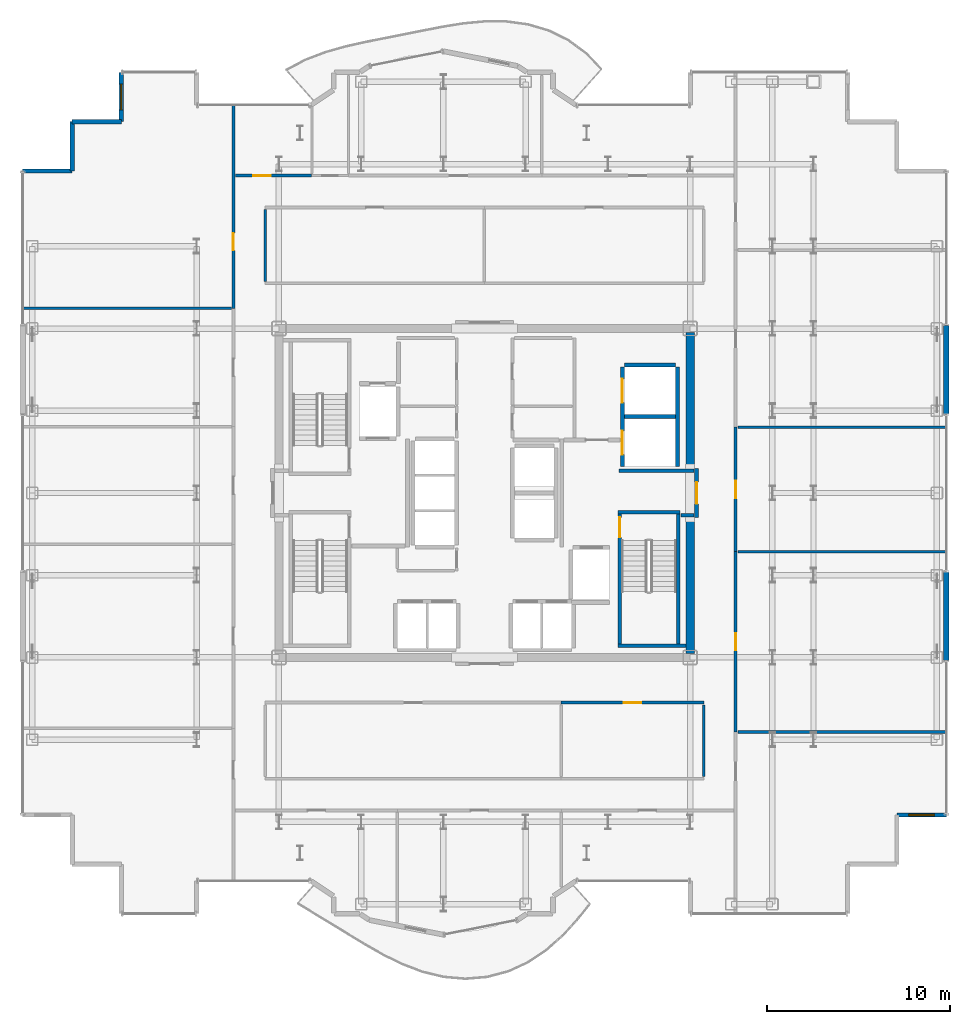
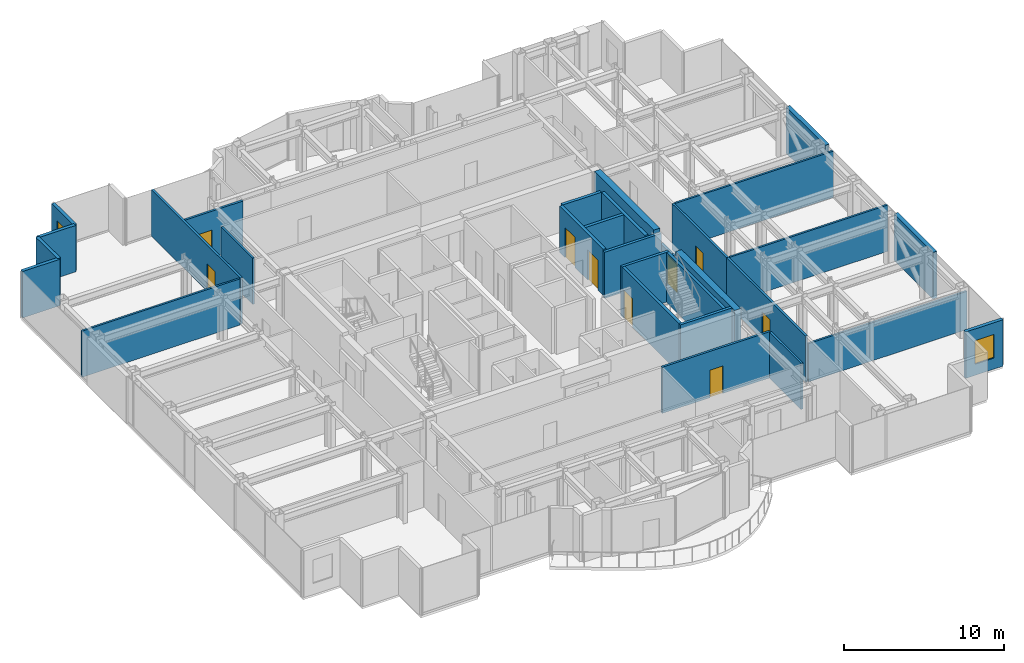
# One storey, part 18 of 22: 31 walls, 9 doors, 2 windows, 11 openings.
"""IFC4 building model written with IfcOpenShell, lengths in metres."""

from ifc_helpers import new_model, si_unit, direction, frame, frame_2d, origin, place, context, subcontext, project, spatial, rectangle, extrude, source, transform, mapped, material, layer, layer_set, type_object, element, fill, save


model = new_model("IFC4")

# Units and contexts
model_context = context("Model", 3, precision=1e-05, world=origin(), true_north=direction((0.0, 1.0)))
body_context = subcontext(model_context, "Body", "Model", "MODEL_VIEW")
ifc_project = project(units=[si_unit("LENGTHUNIT", "METRE"), si_unit("AREAUNIT", "SQUARE_METRE"), si_unit("VOLUMEUNIT", "CUBIC_METRE"), si_unit("PLANEANGLEUNIT", "RADIAN"), si_unit("MASSUNIT", "GRAM", prefix="KILO")], contexts=[model_context])

# Site, building, storey
site_placement = place(None, origin())
site = spatial("IfcSite", under=ifc_project, at=site_placement, CompositionType="ELEMENT")
building_placement = place(site_placement, origin())
building = spatial("IfcBuilding", under=site, at=building_placement, Name="Nefas-Gora Pilgrimage Tower", CompositionType="ELEMENT")
storey_placement = place(building_placement, frame((0.0, 0.0, 218.0)))
storey = spatial("IfcBuildingStorey", under=building, at=storey_placement, Name="L54", CompositionType="ELEMENT", Elevation=218.0)

# Walls
ifc_material_1 = material(Name="Concrete C50/60", Category="concrete")
ifc_layer_1 = layer(ifc_material_1, 0.449951171875)
ifc_layer_set_1 = layer_set([ifc_layer_1], Name="Concrete C50/60")
wall_type_1 = type_object("IfcWallType", Name="SW-CORE-450", PredefinedType="SHEAR", material=ifc_layer_set_1)
shared_shape_1 = source(origin(), body_context, "Body", "SweptSolid", [
    extrude(rectangle(XDim=7.4248046875, YDim=0.449951171875, at=frame_2d((3.71240234375, 0.0))), origin(), (0.0, 0.0, 1.0), 3.800048828125),
])
for number, where, z_axis, x_axis, name in (
    (1, (11.25, -8.77490234375, 0.0), (0.0, 0.0, 1.0), (0.0, 1.0, 0.0), "L54 Core Shear Wall E-South"),
    (2, (11.25, 1.35009765625, 0.0), (0.0, 0.0, 1.0), (0.0, 1.0, 0.0), "L54 Core Shear Wall E-North"),
):
    element("IfcWall", number, at=place(storey_placement, frame(where, z_axis=z_axis, x_axis=x_axis)), inside=storey, type_object=wall_type_1, Name=name, PredefinedType="SHEAR", context=body_context, shape_type="MappedRepresentation", body=[
        mapped(shared_shape_1, transform((0.0, 0.0, 0.0), x_axis=(1.0, 0.0, 0.0), y_axis=(0.0, 1.0, 0.0), z_axis=(0.0, 0.0, 1.0), scale=1.0)),
    ])
ifc_material_2 = material(Name="Precast concrete C45/55", Category="concrete")
ifc_layer_2 = layer(ifc_material_2, 0.239990234375)
ifc_layer_set_2 = layer_set([ifc_layer_2], Name="Precast concrete C45/55")
wall_type_2 = type_object("IfcWallType", Name="EW-SERR-240", PredefinedType="SHEAR", material=ifc_layer_set_2)
shared_shape_2 = source(origin(), body_context, "Body", "SweptSolid", [
    extrude(rectangle(XDim=4.8798828125, YDim=0.300048828125, at=frame_2d((2.43994140625, 0.0))), origin(), (0.0, 0.0, 1.0), 3.550048828125),
])
for number, where, z_axis, x_axis, name in (
    (3, (25.27001953125, -9.18994140625, 0.0), (0.0, 0.0, 1.0), (0.0, 1.0, 0.0), "L54 Braced-Tube Precast Shear Cladding 3"),
    (4, (25.27001953125, 4.31005859375, 0.0), (0.0, 0.0, 1.0), (0.0, 1.0, 0.0), "L54 Braced-Tube Precast Shear Cladding 4"),
):
    element("IfcWall", number, at=place(storey_placement, frame(where, z_axis=z_axis, x_axis=x_axis)), inside=storey, type_object=wall_type_2, Name=name, PredefinedType="SHEAR", context=body_context, shape_type="MappedRepresentation", body=[
        mapped(shared_shape_2, transform((0.0, 0.0, 0.0), x_axis=(1.0, 0.0, 0.0), y_axis=(0.0, 1.0, 0.0), z_axis=(0.0, 0.0, 1.0), scale=1.0)),
    ])

# Wall, opening, window
shared_shape_3 = source(origin(), body_context, "Body", "SweptSolid", [
    extrude(rectangle(XDim=2.699951171875, YDim=0.239990234375, at=frame_2d((1.35009765625, 0.0))), origin(), (0.0, 0.0, 1.0), 3.550048828125),
])
wall_1_placement = place(storey_placement, frame((22.570068359375, -17.6201171875, 0.0), z_axis=(0.0, 0.0, 1.0), x_axis=(1.0, 0.0, 0.0)))
wall_1 = element("IfcWall", 5, at=wall_1_placement, inside=storey, type_object=wall_type_2, Name="L54 Serrated Corner Shear Pier Wall 9", PredefinedType="SHEAR", context=body_context, shape_type="MappedRepresentation", body=[
    mapped(shared_shape_3, transform((0.0, 0.0, 0.0), x_axis=(1.0, 0.0, 0.0), y_axis=(0.0, 1.0, 0.0), z_axis=(0.0, 0.0, 1.0), scale=1.0)),
])
opening_1_placement = place(wall_1_placement, frame((0.64990234375, 0.0, 0.85009765625)))
opening_1 = element("IfcOpeningElement", 6, at=opening_1_placement, cuts=wall_1, Name="Opening W-V2", PredefinedType="OPENING", context=body_context, shape_type="SweptSolid", body=[
    extrude(rectangle(XDim=1.39990234375, YDim=1.800048828125, at=frame_2d((0.699951171875, 0.89990234375))), frame((0.0, 0.1298828125, 0.0), z_axis=(0.0, -1.0, 0.0), x_axis=(1.0, 0.0, 0.0)), (0.0, 0.0, 1.0), 0.260009765625),
])
ifc_material_3 = material(Name="Dark ceramic-fritted operable aluminium-glass window", Category="aluminium")
window_type = type_object("IfcWindowType", Name="WIN-VENT-1400x1800", PartitioningType="SINGLE_PANEL", PredefinedType="WINDOW", material=ifc_material_3)
shared_shape_4 = source(origin(), body_context, "Body", "SweptSolid", [
    extrude(rectangle(XDim=1.39990234375, YDim=1.800048828125, at=frame_2d((0.699951171875, 0.89990234375))), frame((0.0, 0.030029296875, 0.0), z_axis=(0.0, -1.0, 0.0), x_axis=(1.0, 0.0, 0.0)), (0.0, 0.0, 1.0), 0.06005859375),
])
window_1_placement = place(opening_1_placement, origin())
window_1 = element("IfcWindow", 7, at=window_1_placement, inside=storey, type_object=window_type, Name="L54 Operable Parallel-Outswing Window 9", OverallHeight=1.800048828125, OverallWidth=1.39990234375, PartitioningType="SINGLE_PANEL", PredefinedType="WINDOW", context=body_context, shape_type="MappedRepresentation", body=[
    mapped(shared_shape_4, transform((0.0, 0.0, 0.0), x_axis=(1.0, 0.0, 0.0), y_axis=(0.0, 1.0, 0.0), z_axis=(0.0, 0.0, 1.0), scale=1.0)),
])
fill(opening_1, window_1)

wall_2_placement = place(storey_placement, frame((-19.8701171875, 23.02001953125, 0.0), z_axis=(0.0, 0.0, 1.0), x_axis=(0.0, -1.0, 0.0)))
wall_2 = element("IfcWall", 8, at=wall_2_placement, inside=storey, type_object=wall_type_2, Name="L54 Serrated Corner Shear Pier Wall 25", PredefinedType="SHEAR", context=body_context, shape_type="MappedRepresentation", body=[
    mapped(shared_shape_3, transform((0.0, 0.0, 0.0), x_axis=(1.0, 0.0, 0.0), y_axis=(0.0, 1.0, 0.0), z_axis=(0.0, 0.0, 1.0), scale=1.0)),
])
opening_2_placement = place(wall_2_placement, frame((0.64990234375, 0.0, 0.85009765625)))
opening_2 = element("IfcOpeningElement", 9, at=opening_2_placement, cuts=wall_2, Name="Opening W-V2", PredefinedType="OPENING", context=body_context, shape_type="SweptSolid", body=[
    extrude(rectangle(XDim=1.39990234375, YDim=1.800048828125, at=frame_2d((0.699951171875, 0.89990234375))), frame((0.0, 0.1298828125, 0.0), z_axis=(0.0, -1.0, 0.0), x_axis=(1.0, 0.0, 0.0)), (0.0, 0.0, 1.0), 0.260009765625),
])
window_2_placement = place(opening_2_placement, origin())
window_2 = element("IfcWindow", 10, at=window_2_placement, inside=storey, type_object=window_type, Name="L54 Operable Parallel-Outswing Window 25", OverallHeight=1.800048828125, OverallWidth=1.39990234375, PartitioningType="SINGLE_PANEL", PredefinedType="WINDOW", context=body_context, shape_type="MappedRepresentation", body=[
    mapped(shared_shape_4, transform((0.0, 0.0, 0.0), x_axis=(1.0, 0.0, 0.0), y_axis=(0.0, 1.0, 0.0), z_axis=(0.0, 0.0, 1.0), scale=1.0)),
])
fill(opening_2, window_2)

# Walls
for number, where, z_axis, x_axis, name in (
    (11, (-19.8701171875, 20.320068359375, 0.0), (0.0, 0.0, 1.0), (-1.0, 0.0, 0.0), "L54 Serrated Corner Shear Pier Wall 26"),
    (12, (-22.570068359375, 20.320068359375, 0.0), (0.0, 0.0, 1.0), (0.0, -1.0, 0.0), "L54 Serrated Corner Shear Pier Wall 27"),
    (13, (-22.570068359375, 17.6201171875, 0.0), (0.0, 0.0, 1.0), (-1.0, 0.0, 0.0), "L54 Serrated Corner Shear Pier Wall 28"),
):
    element("IfcWall", number, at=place(storey_placement, frame(where, z_axis=z_axis, x_axis=x_axis)), inside=storey, type_object=wall_type_2, Name=name, PredefinedType="SHEAR", context=body_context, shape_type="MappedRepresentation", body=[
        mapped(shared_shape_3, transform((0.0, 0.0, 0.0), x_axis=(1.0, 0.0, 0.0), y_axis=(0.0, 1.0, 0.0), z_axis=(0.0, 0.0, 1.0), scale=1.0)),
    ])
ifc_material_4 = material(Name="Concrete C45/55", Category="concrete")
ifc_layer_3 = layer(ifc_material_4, 0.199951171875)
ifc_layer_set_3 = layer_set([ifc_layer_3], Name="Concrete C45/55")
wall_type_3 = type_object("IfcWallType", Name="IW-STAIR-200", PredefinedType="SOLIDWALL", material=ifc_layer_set_3)
shared_shape_5 = source(origin(), body_context, "Body", "SweptSolid", [
    extrude(rectangle(XDim=3.39990234375, YDim=0.199951171875, at=frame_2d((1.699951171875, 0.0))), origin(), (0.0, 0.0, 1.0), 3.800048828125),
])
wall_3_placement = place(storey_placement, frame((7.300048828125, -1.050048828125, 0.0), z_axis=(0.0, 0.0, 1.0), x_axis=(1.0, 0.0, 0.0)))
element("IfcWall", 14, at=wall_3_placement, inside=storey, type_object=wall_type_3, Name="L54 Stairwell Shear Wall ST-02-near", PredefinedType="SOLIDWALL", context=body_context, shape_type="MappedRepresentation", body=[
    mapped(shared_shape_5, transform((0.0, 0.0, 0.0), x_axis=(1.0, 0.0, 0.0), y_axis=(0.0, 1.0, 0.0), z_axis=(0.0, 0.0, 1.0), scale=1.0)),
])

# Wall, opening, door
shared_shape_6 = source(origin(), body_context, "Body", "SweptSolid", [
    extrude(rectangle(XDim=7.10009765625, YDim=0.199951171875, at=frame_2d((3.550048828125, 0.0))), origin(), (0.0, 0.0, 1.0), 3.800048828125),
])
wall_4_placement = place(storey_placement, frame((7.39990234375, -1.14990234375, 0.0), z_axis=(0.0, 0.0, 1.0), x_axis=(0.0, -1.0, 0.0)))
wall_4 = element("IfcWall", 15, at=wall_4_placement, inside=storey, type_object=wall_type_3, Name="L54 Stairwell Shear Wall ST-02-left", PredefinedType="SOLIDWALL", context=body_context, shape_type="MappedRepresentation", body=[
    mapped(shared_shape_6, transform((0.0, 0.0, 0.0), x_axis=(1.0, 0.0, 0.0), y_axis=(0.0, 1.0, 0.0), z_axis=(0.0, 0.0, 1.0), scale=1.0)),
])
opening_3_placement = place(wall_4_placement, frame((0.179931640625, 0.0, 0.0)))
opening_3 = element("IfcOpeningElement", 16, at=opening_3_placement, cuts=wall_4, Name="Opening ID-ST1", PredefinedType="OPENING", context=body_context, shape_type="SweptSolid", body=[
    extrude(rectangle(XDim=1.10009765625, YDim=2.14990234375, at=frame_2d((0.550048828125, 1.074951171875))), frame((0.0, 0.10986328125, 0.0), z_axis=(0.0, -1.0, 0.0), x_axis=(1.0, 0.0, 0.0)), (0.0, 0.0, 1.0), 0.219970703125),
])
ifc_material_5 = material(Name="Painted galvanised steel fire stair door", Category="steel")
door_type_1 = type_object("IfcDoorType", Name="DR-INT-STAIR-1100", OperationType="NOTDEFINED", PredefinedType="DOOR", material=ifc_material_5)
shared_shape_7 = source(origin(), body_context, "Body", "SweptSolid", [
    extrude(rectangle(XDim=1.10009765625, YDim=2.14990234375, at=frame_2d((0.550048828125, 1.074951171875))), frame((0.0, 0.02490234375, 0.0), z_axis=(0.0, -1.0, 0.0), x_axis=(1.0, 0.0, 0.0)), (0.0, 0.0, 1.0), 0.050048828125),
])
door_1_placement = place(opening_3_placement, origin())
door_1 = element("IfcDoor", 17, at=door_1_placement, inside=storey, type_object=door_type_1, Name="L54 Protected Exit Stair Door ST-02", OperationType="SINGLE_SWING_LEFT", OverallHeight=2.14990234375, OverallWidth=1.10009765625, PredefinedType="DOOR", context=body_context, shape_type="MappedRepresentation", body=[
    mapped(shared_shape_7, transform((0.0, 0.0, 0.0), x_axis=(1.0, 0.0, 0.0), y_axis=(0.0, 1.0, 0.0), z_axis=(0.0, 0.0, 1.0), scale=1.0)),
])
fill(opening_3, door_1)

# Walls
wall_5_placement = place(storey_placement, frame((10.60009765625, -1.14990234375, 0.0), z_axis=(0.0, 0.0, 1.0), x_axis=(0.0, -1.0, 0.0)))
element("IfcWall", 18, at=wall_5_placement, inside=storey, type_object=wall_type_3, Name="L54 Stairwell Shear Wall ST-02-right", PredefinedType="SOLIDWALL", context=body_context, shape_type="MappedRepresentation", body=[
    mapped(shared_shape_6, transform((0.0, 0.0, 0.0), x_axis=(1.0, 0.0, 0.0), y_axis=(0.0, 1.0, 0.0), z_axis=(0.0, 0.0, 1.0), scale=1.0)),
])
shared_shape_8 = source(origin(), body_context, "Body", "SweptSolid", [
    extrude(rectangle(XDim=3.72998046875, YDim=0.199951171875, at=frame_2d((1.864990234375, 0.0))), origin(), (0.0, 0.0, 1.0), 3.800048828125),
])
wall_6_placement = place(storey_placement, frame((7.300048828125, -8.35009765625, 0.0), z_axis=(0.0, 0.0, 1.0), x_axis=(1.0, 0.0, 0.0)))
element("IfcWall", 19, at=wall_6_placement, inside=storey, type_object=wall_type_3, Name="L54 Stairwell Shear Wall ST-02-far", PredefinedType="SOLIDWALL", context=body_context, shape_type="MappedRepresentation", body=[
    mapped(shared_shape_8, transform((0.0, 0.0, 0.0), x_axis=(1.0, 0.0, 0.0), y_axis=(0.0, 1.0, 0.0), z_axis=(0.0, 0.0, 1.0), scale=1.0)),
])

# Wall, openings, doors
ifc_material_6 = material(Name="Concrete C40/50", Category="concrete")
ifc_layer_4 = layer(ifc_material_6, 0.219970703125)
ifc_layer_set_4 = layer_set([ifc_layer_4], Name="Concrete C40/50")
wall_type_4 = type_object("IfcWallType", Name="IW-SHAFT-220", PredefinedType="SOLIDWALL", material=ifc_layer_set_4)
shared_shape_9 = source(origin(), body_context, "Body", "SweptSolid", [
    extrude(rectangle(XDim=5.449951171875, YDim=0.219970703125, at=frame_2d((2.72509765625, 0.0))), origin(), (0.0, 0.0, 1.0), 3.534912109375),
])
wall_7_placement = place(storey_placement, frame((7.5400390625, 6.89990234375, 0.0), z_axis=(0.0, 0.0, 1.0), x_axis=(0.0, -1.0, 0.0)))
wall_7 = element("IfcWall", 20, at=wall_7_placement, inside=storey, type_object=wall_type_4, Name="L54 Hoistway Wall SL-01-02-W", PredefinedType="SOLIDWALL", context=body_context, shape_type="MappedRepresentation", body=[
    mapped(shared_shape_9, transform((0.0, 0.0, 0.0), x_axis=(1.0, 0.0, 0.0), y_axis=(0.0, 1.0, 0.0), z_axis=(0.0, 0.0, 1.0), scale=1.0)),
])
opening_4_placement = place(wall_7_placement, frame((3.5, 0.0, 0.0)))
opening_4 = element("IfcOpeningElement", 21, at=opening_4_placement, cuts=wall_7, Name="Opening LD-SV", PredefinedType="OPENING", context=body_context, shape_type="SweptSolid", body=[
    extrude(rectangle(XDim=1.300048828125, YDim=2.300048828125, at=frame_2d((0.64990234375, 1.14990234375))), frame((0.0, 0.119873046875, 0.0), z_axis=(0.0, -1.0, 0.0), x_axis=(1.0, 0.0, 0.0)), (0.0, 0.0, 1.0), 0.239990234375),
])
opening_5_placement = place(wall_7_placement, frame((0.64990234375, 0.0, 0.0)))
opening_5 = element("IfcOpeningElement", 22, at=opening_5_placement, cuts=wall_7, Name="Opening LD-SV", PredefinedType="OPENING", context=body_context, shape_type="SweptSolid", body=[
    extrude(rectangle(XDim=1.300048828125, YDim=2.300048828125, at=frame_2d((0.64990234375, 1.14990234375))), frame((0.0, 0.119873046875, 0.0), z_axis=(0.0, -1.0, 0.0), x_axis=(1.0, 0.0, 0.0)), (0.0, 0.0, 1.0), 0.239990234375),
])
ifc_material_7 = material(Name="Heavy goods sliding lift landing door")
door_type_2 = type_object("IfcDoorType", Name="DR-LIFT-SERV-1300", OperationType="SLIDING_TO_RIGHT", PredefinedType="DOOR", material=ifc_material_7)
shared_shape_10 = source(origin(), body_context, "Body", "SweptSolid", [
    extrude(rectangle(XDim=1.300048828125, YDim=2.300048828125, at=frame_2d((0.64990234375, 1.14990234375))), frame((0.0, 0.02490234375, 0.0), z_axis=(0.0, -1.0, 0.0), x_axis=(1.0, 0.0, 0.0)), (0.0, 0.0, 1.0), 0.050048828125),
])
door_2_placement = place(opening_4_placement, origin())
door_2 = element("IfcDoor", 23, at=door_2_placement, inside=storey, type_object=door_type_2, Name="L54 Sliding Lift Landing Door SL-01", OperationType="SLIDING_TO_RIGHT", OverallHeight=2.300048828125, OverallWidth=1.300048828125, PredefinedType="DOOR", context=body_context, shape_type="MappedRepresentation", body=[
    mapped(shared_shape_10, transform((0.0, 0.0, 0.0), x_axis=(1.0, 0.0, 0.0), y_axis=(0.0, 1.0, 0.0), z_axis=(0.0, 0.0, 1.0), scale=1.0)),
])
fill(opening_4, door_2)
door_3_placement = place(opening_5_placement, origin())
door_3 = element("IfcDoor", 24, at=door_3_placement, inside=storey, type_object=door_type_2, Name="L54 Sliding Lift Landing Door SL-02", OperationType="SLIDING_TO_RIGHT", OverallHeight=2.300048828125, OverallWidth=1.300048828125, PredefinedType="DOOR", context=body_context, shape_type="MappedRepresentation", body=[
    mapped(shared_shape_10, transform((0.0, 0.0, 0.0), x_axis=(1.0, 0.0, 0.0), y_axis=(0.0, 1.0, 0.0), z_axis=(0.0, 0.0, 1.0), scale=1.0)),
])
fill(opening_5, door_3)

# Walls
wall_8_placement = place(storey_placement, frame((10.56005859375, 1.449951171875, 0.0), z_axis=(0.0, 0.0, 1.0), x_axis=(0.0, 1.0, 0.0)))
element("IfcWall", 25, at=wall_8_placement, inside=storey, type_object=wall_type_4, Name="L54 Hoistway Wall SL-01-02-E", PredefinedType="SOLIDWALL", context=body_context, shape_type="MappedRepresentation", body=[
    mapped(shared_shape_9, transform((0.0, 0.0, 0.0), x_axis=(1.0, 0.0, 0.0), y_axis=(0.0, 1.0, 0.0), z_axis=(0.0, 0.0, 1.0), scale=1.0)),
])
shared_shape_11 = source(origin(), body_context, "Body", "SweptSolid", [
    extrude(rectangle(XDim=2.780029296875, YDim=0.219970703125, at=frame_2d((1.39013671875, 0.0))), origin(), (0.0, 0.0, 1.0), 3.534912109375),
])
for number, where, z_axis, x_axis, name in (
    (26, (7.659912109375, 4.175048828125, 0.0), (0.0, 0.0, 1.0), (1.0, 0.0, 0.0), "L54 Hoistway Wall SL-01-02-DIV"),
    (27, (10.43994140625, 7.010009765625, 0.0), (0.0, 0.0, 1.0), (-1.0, 0.0, 0.0), "L54 Hoistway Wall SL-02-N"),
):
    element("IfcWall", number, at=place(storey_placement, frame(where, z_axis=z_axis, x_axis=x_axis)), inside=storey, type_object=wall_type_4, Name=name, PredefinedType="SOLIDWALL", context=body_context, shape_type="MappedRepresentation", body=[
        mapped(shared_shape_11, transform((0.0, 0.0, 0.0), x_axis=(1.0, 0.0, 0.0), y_axis=(0.0, 1.0, 0.0), z_axis=(0.0, 0.0, 1.0), scale=1.0)),
    ])
ifc_material_8 = material(Name="Gypsum fire-rated shaftwall")
ifc_layer_5 = layer(ifc_material_8, 0.199951171875)
ifc_layer_set_5 = layer_set([ifc_layer_5], Name="Gypsum fire-rated shaftwall")
wall_type_5 = type_object("IfcWallType", Name="IW-FFLOB-200", PredefinedType="PARTITIONING", material=ifc_layer_set_5)
shared_shape_12 = source(origin(), body_context, "Body", "SweptSolid", [
    extrude(rectangle(XDim=0.719970703125, YDim=0.199951171875, at=frame_2d((0.35986328125, 0.0))), origin(), (0.0, 0.0, 1.0), 3.534912109375),
])
wall_9_placement = place(storey_placement, frame((10.739990234375, -1.219970703125, 0.0), z_axis=(0.0, 0.0, 1.0), x_axis=(1.0, 0.0, 0.0)))
element("IfcWall", 28, at=wall_9_placement, inside=storey, type_object=wall_type_5, Name="L54 FF Lobby East Throat S Wall 14", PredefinedType="PARTITIONING", context=body_context, shape_type="MappedRepresentation", body=[
    mapped(shared_shape_12, transform((0.0, 0.0, 0.0), x_axis=(1.0, 0.0, 0.0), y_axis=(0.0, 1.0, 0.0), z_axis=(0.0, 0.0, 1.0), scale=1.0)),
])
shared_shape_13 = source(origin(), body_context, "Body", "SweptSolid", [
    extrude(rectangle(XDim=4.10986328125, YDim=0.199951171875, at=frame_2d((2.054931640625, 0.0))), origin(), (0.0, 0.0, 1.0), 3.534912109375),
])
wall_10_placement = place(storey_placement, frame((7.35009765625, 1.219970703125, 0.0), z_axis=(0.0, 0.0, 1.0), x_axis=(1.0, 0.0, 0.0)))
element("IfcWall", 29, at=wall_10_placement, inside=storey, type_object=wall_type_5, Name="L54 FF Lobby East Throat N Wall 13", PredefinedType="PARTITIONING", context=body_context, shape_type="MappedRepresentation", body=[
    mapped(shared_shape_13, transform((0.0, 0.0, 0.0), x_axis=(1.0, 0.0, 0.0), y_axis=(0.0, 1.0, 0.0), z_axis=(0.0, 0.0, 1.0), scale=1.0)),
])

# Wall, opening, door
ifc_material_9 = material(Name="Gypsum acoustic stud partition")
ifc_layer_6 = layer(ifc_material_9, 0.159912109375)
ifc_layer_set_6 = layer_set([ifc_layer_6], Name="Gypsum acoustic stud partition")
wall_type_6 = type_object("IfcWallType", Name="IW-CORR-160", PredefinedType="PARTITIONING", material=ifc_layer_set_6)
shared_shape_14 = source(origin(), body_context, "Body", "SweptSolid", [
    extrude(rectangle(XDim=11.152587890625, YDim=0.159912109375, at=frame_2d((5.576171875, 0.0))), origin(), (0.0, 0.0, 1.0), 3.534912109375),
])
wall_11_placement = place(storey_placement, frame((-13.739990234375, 10.08740234375, 0.0), z_axis=(0.0, 0.0, 1.0), x_axis=(0.0, 1.0, 0.0)))
wall_11 = element("IfcWall", 30, at=wall_11_placement, inside=storey, type_object=wall_type_6, Name="L54 Pilgrim Floor Concierge Foyer Partition Wall 36", PredefinedType="PARTITIONING", context=body_context, shape_type="MappedRepresentation", body=[
    mapped(shared_shape_14, transform((0.0, 0.0, 0.0), x_axis=(1.0, 0.0, 0.0), y_axis=(0.0, 1.0, 0.0), z_axis=(0.0, 0.0, 1.0), scale=1.0)),
])
opening_6_placement = place(wall_11_placement, frame((3.186279296875, 0.0, 0.0)))
opening_6 = element("IfcOpeningElement", 31, at=opening_6_placement, cuts=wall_11, Name="Opening ID-GR1", PredefinedType="OPENING", context=body_context, shape_type="SweptSolid", body=[
    extrude(rectangle(XDim=0.949951171875, YDim=2.10009765625, at=frame_2d((0.47509765625, 1.050048828125))), frame((0.0, 0.08984375, 0.0), z_axis=(0.0, -1.0, 0.0), x_axis=(1.0, 0.0, 0.0)), (0.0, 0.0, 1.0), 0.179931640625),
])
ifc_material_10 = material(Name="Solid core oak fire-rated guest entrance door")
door_type_3 = type_object("IfcDoorType", Name="DR-INT-GUEST-950", OperationType="NOTDEFINED", PredefinedType="DOOR", material=ifc_material_10)
shared_shape_15 = source(origin(), body_context, "Body", "SweptSolid", [
    extrude(rectangle(XDim=0.949951171875, YDim=2.10009765625, at=frame_2d((0.47509765625, 1.050048828125))), frame((0.0, 0.02490234375, 0.0), z_axis=(0.0, -1.0, 0.0), x_axis=(1.0, 0.0, 0.0)), (0.0, 0.0, 1.0), 0.050048828125),
])
door_4_placement = place(opening_6_placement, origin())
door_4 = element("IfcDoor", 32, at=door_4_placement, inside=storey, type_object=door_type_3, Name="L54 Pilgrim Floor Concierge Foyer Door 15", OperationType="SINGLE_SWING_LEFT", OverallHeight=2.10009765625, OverallWidth=0.949951171875, PredefinedType="DOOR", context=body_context, shape_type="MappedRepresentation", body=[
    mapped(shared_shape_15, transform((0.0, 0.0, 0.0), x_axis=(1.0, 0.0, 0.0), y_axis=(0.0, 1.0, 0.0), z_axis=(0.0, 0.0, 1.0), scale=1.0)),
])
fill(opening_6, door_4)

shared_shape_16 = source(origin(), body_context, "Body", "SweptSolid", [
    extrude(rectangle(XDim=6.81005859375, YDim=0.159912109375, at=frame_2d((3.405029296875, 0.0))), origin(), (0.0, 0.0, 1.0), 3.534912109375),
])
wall_12_placement = place(storey_placement, frame((13.739990234375, -3.205078125, 0.0), z_axis=(0.0, 0.0, 1.0), x_axis=(0.0, 1.0, 0.0)))
wall_12 = element("IfcWall", 33, at=wall_12_placement, inside=storey, type_object=wall_type_6, Name="L54 Pilgrim Fellowship Seminar Room Partition Wall 45", PredefinedType="PARTITIONING", context=body_context, shape_type="MappedRepresentation", body=[
    mapped(shared_shape_16, transform((0.0, 0.0, 0.0), x_axis=(1.0, 0.0, 0.0), y_axis=(0.0, 1.0, 0.0), z_axis=(0.0, 0.0, 1.0), scale=1.0)),
])
opening_7_placement = place(wall_12_placement, frame((2.929931640625, 0.0, 0.0)))
opening_7 = element("IfcOpeningElement", 34, at=opening_7_placement, cuts=wall_12, Name="Opening ID-GR1", PredefinedType="OPENING", context=body_context, shape_type="SweptSolid", body=[
    extrude(rectangle(XDim=0.949951171875, YDim=2.10009765625, at=frame_2d((0.47509765625, 1.050048828125))), frame((0.0, 0.08984375, 0.0), z_axis=(0.0, -1.0, 0.0), x_axis=(1.0, 0.0, 0.0)), (0.0, 0.0, 1.0), 0.179931640625),
])
door_5_placement = place(opening_7_placement, origin())
door_5 = element("IfcDoor", 35, at=door_5_placement, inside=storey, type_object=door_type_3, Name="L54 Pilgrim Fellowship Seminar Room Door 20", OperationType="SINGLE_SWING_RIGHT", OverallHeight=2.10009765625, OverallWidth=0.949951171875, PredefinedType="DOOR", context=body_context, shape_type="MappedRepresentation", body=[
    mapped(shared_shape_15, transform((0.0, 0.0, 0.0), x_axis=(1.0, 0.0, 0.0), y_axis=(0.0, 1.0, 0.0), z_axis=(0.0, 0.0, 1.0), scale=1.0)),
])
fill(opening_7, door_5)

# Walls
ifc_material_11 = material(Name="Gypsum twin-stud partition")
ifc_layer_7 = layer(ifc_material_11, 0.139892578125)
ifc_layer_set_7 = layer_set([ifc_layer_7], Name="Gypsum twin-stud partition")
wall_type_7 = type_object("IfcWallType", Name="IW-UNIT-140", PredefinedType="PARTITIONING", material=ifc_layer_set_7)
shared_shape_17 = source(origin(), body_context, "Body", "SweptSolid", [
    extrude(rectangle(XDim=11.429931640625, YDim=0.139892578125, at=frame_2d((5.71484375, 0.0))), origin(), (0.0, 0.0, 1.0), 3.534912109375),
])
for number, where, z_axis, x_axis, name in (
    (36, (-25.2900390625, 10.097412109375, 0.0), (0.0, 0.0, 1.0), (1.0, 0.0, 0.0), "L54 Pilgrim Floor Concierge Foyer Partition Wall 37"),
    (37, (13.860107421875, -3.205078125, 0.0), (0.0, 0.0, 1.0), (1.0, 0.0, 0.0), "L54 Pilgrim Fellowship Seminar Room Partition Wall 43"),
    (38, (13.860107421875, 3.594970703125, 0.0), (0.0, 0.0, 1.0), (1.0, 0.0, 0.0), "L54 Pilgrim Fellowship Seminar Room Partition Wall 46"),
):
    element("IfcWall", number, at=place(storey_placement, frame(where, z_axis=z_axis, x_axis=x_axis)), inside=storey, type_object=wall_type_7, Name=name, PredefinedType="PARTITIONING", context=body_context, shape_type="MappedRepresentation", body=[
        mapped(shared_shape_17, transform((0.0, 0.0, 0.0), x_axis=(1.0, 0.0, 0.0), y_axis=(0.0, 1.0, 0.0), z_axis=(0.0, 0.0, 1.0), scale=1.0)),
    ])
shared_shape_18 = source(origin(), body_context, "Body", "SweptSolid", [
    extrude(rectangle(XDim=3.929931640625, YDim=0.139892578125, at=frame_2d((1.96484375, 0.0))), origin(), (0.0, 0.0, 1.0), 3.534912109375),
])
for number, where, z_axis, x_axis, name in (
    (39, (-12.0, 11.580078125, 0.0), (0.0, 0.0, 1.0), (0.0, 1.0, 0.0), "L54 Pilgrim Contemplative Lounge Partition Wall 55"),
    (40, (12.0, -15.52001953125, 0.0), (0.0, 0.0, 1.0), (0.0, 1.0, 0.0), "L54 Pastoral Chaplains Counselling Office Partition Wall 72"),
):
    element("IfcWall", number, at=place(storey_placement, frame(where, z_axis=z_axis, x_axis=x_axis)), inside=storey, type_object=wall_type_7, Name=name, PredefinedType="PARTITIONING", context=body_context, shape_type="MappedRepresentation", body=[
        mapped(shared_shape_18, transform((0.0, 0.0, 0.0), x_axis=(1.0, 0.0, 0.0), y_axis=(0.0, 1.0, 0.0), z_axis=(0.0, 0.0, 1.0), scale=1.0)),
    ])

# Wall, opening, door
shared_shape_19 = source(origin(), body_context, "Body", "SweptSolid", [
    extrude(rectangle(XDim=4.16015625, YDim=0.159912109375, at=frame_2d((2.080078125, 0.0))), origin(), (0.0, 0.0, 1.0), 3.534912109375),
])
wall_13_placement = place(storey_placement, frame((-13.6201171875, 17.3701171875, 0.0), z_axis=(0.0, 0.0, 1.0), x_axis=(1.0, 0.0, 0.0)))
wall_13 = element("IfcWall", 41, at=wall_13_placement, inside=storey, type_object=wall_type_6, Name="L54 Pilgrim Contemplative Lounge Partition Wall 60", PredefinedType="PARTITIONING", context=body_context, shape_type="MappedRepresentation", body=[
    mapped(shared_shape_19, transform((0.0, 0.0, 0.0), x_axis=(1.0, 0.0, 0.0), y_axis=(0.0, 1.0, 0.0), z_axis=(0.0, 0.0, 1.0), scale=1.0)),
])
opening_8_placement = place(wall_13_placement, frame((0.968994140625, 0.0, 0.0)))
opening_8 = element("IfcOpeningElement", 42, at=opening_8_placement, cuts=wall_13, Name="Opening ID-GR1", PredefinedType="OPENING", context=body_context, shape_type="SweptSolid", body=[
    extrude(rectangle(XDim=0.949951171875, YDim=2.10009765625, at=frame_2d((0.47509765625, 1.050048828125))), frame((0.0, 0.08984375, 0.0), z_axis=(0.0, -1.0, 0.0), x_axis=(1.0, 0.0, 0.0)), (0.0, 0.0, 1.0), 0.179931640625),
])
door_6_placement = place(opening_8_placement, origin())
door_6 = element("IfcDoor", 43, at=door_6_placement, inside=storey, type_object=door_type_3, Name="L54 Pilgrim Contemplative Lounge Door 27", OperationType="SINGLE_SWING_LEFT", OverallHeight=2.10009765625, OverallWidth=0.949951171875, PredefinedType="DOOR", context=body_context, shape_type="MappedRepresentation", body=[
    mapped(shared_shape_15, transform((0.0, 0.0, 0.0), x_axis=(1.0, 0.0, 0.0), y_axis=(0.0, 1.0, 0.0), z_axis=(0.0, 0.0, 1.0), scale=1.0)),
])
fill(opening_8, door_6)

shared_shape_20 = source(origin(), body_context, "Body", "SweptSolid", [
    extrude(rectangle(XDim=2.7001953125, YDim=0.199951171875, at=frame_2d((1.35009765625, 0.0))), origin(), (0.0, 0.0, 1.0), 2.625),
])
wall_14_placement = place(storey_placement, frame((11.60009765625, -1.35009765625, 0.0), z_axis=(0.0, 0.0, 1.0), x_axis=(0.0, 1.0, 0.0)))
wall_14 = element("IfcWall", 44, at=wall_14_placement, inside=storey, type_object=wall_type_5, Name="L54 FF Lobby East Portal Wall 9", PredefinedType="PARTITIONING", context=body_context, shape_type="MappedRepresentation", body=[
    mapped(shared_shape_20, transform((0.0, 0.0, 0.0), x_axis=(1.0, 0.0, 0.0), y_axis=(0.0, 1.0, 0.0), z_axis=(0.0, 0.0, 1.0), scale=1.0)),
])
opening_9_placement = place(wall_14_placement, frame((0.75, 0.0, 0.0)))
opening_9 = element("IfcOpeningElement", 45, at=opening_9_placement, cuts=wall_14, Name="Opening ID-FF1", PredefinedType="OPENING", context=body_context, shape_type="SweptSolid", body=[
    extrude(rectangle(XDim=1.199951171875, YDim=2.14990234375, at=frame_2d((0.60009765625, 1.074951171875))), frame((0.0, 0.10986328125, 0.0), z_axis=(0.0, -1.0, 0.0), x_axis=(1.0, 0.0, 0.0)), (0.0, 0.0, 1.0), 0.219970703125),
])
ifc_material_12 = material(Name="Smoke-sealed steel firefighting lobby door", Category="steel")
door_type_4 = type_object("IfcDoorType", Name="DR-INT-FFLOB-1200", OperationType="NOTDEFINED", PredefinedType="DOOR", material=ifc_material_12)
shared_shape_21 = source(origin(), body_context, "Body", "SweptSolid", [
    extrude(rectangle(XDim=1.199951171875, YDim=2.14990234375, at=frame_2d((0.60009765625, 1.074951171875))), frame((0.0, 0.02490234375, 0.0), z_axis=(0.0, -1.0, 0.0), x_axis=(1.0, 0.0, 0.0)), (0.0, 0.0, 1.0), 0.050048828125),
])
door_7_placement = place(opening_9_placement, origin())
door_7 = element("IfcDoor", 46, at=door_7_placement, inside=storey, type_object=door_type_4, Name="L54 FF Lobby East Portal Door 3", OperationType="SINGLE_SWING_LEFT", OverallHeight=2.14990234375, OverallWidth=1.199951171875, PredefinedType="DOOR", context=body_context, shape_type="MappedRepresentation", body=[
    mapped(shared_shape_21, transform((0.0, 0.0, 0.0), x_axis=(1.0, 0.0, 0.0), y_axis=(0.0, 1.0, 0.0), z_axis=(0.0, 0.0, 1.0), scale=1.0)),
])
fill(opening_9, door_7)

# Wall
shared_shape_22 = source(origin(), body_context, "Body", "SweptSolid", [
    extrude(rectangle(XDim=11.429931640625, YDim=0.139892578125, at=frame_2d((5.71484375, 0.0))), origin(), (0.0, 0.0, 1.0), 2.925048828125),
])
wall_15_placement = place(storey_placement, frame((13.860107421875, -13.077392578125, 0.0), z_axis=(0.0, 0.0, 1.0), x_axis=(1.0, 0.0, 0.0)))
element("IfcWall", 47, at=wall_15_placement, inside=storey, type_object=wall_type_7, Name="L54 Pilgrim Fellowship Seminar Room Partition Wall 42", PredefinedType="PARTITIONING", context=body_context, shape_type="MappedRepresentation", body=[
    mapped(shared_shape_22, transform((0.0, 0.0, 0.0), x_axis=(1.0, 0.0, 0.0), y_axis=(0.0, 1.0, 0.0), z_axis=(0.0, 0.0, 1.0), scale=1.0)),
])

# Wall, opening, door
shared_shape_23 = source(origin(), body_context, "Body", "SweptSolid", [
    extrude(rectangle(XDim=9.892333984375, YDim=0.159912109375, at=frame_2d((4.9462890625, 0.0))), origin(), (0.0, 0.0, 1.0), 3.534912109375),
])
wall_16_placement = place(storey_placement, frame((13.739990234375, -13.08740234375, 0.0), z_axis=(0.0, 0.0, 1.0), x_axis=(0.0, 1.0, 0.0)))
wall_16 = element("IfcWall", 48, at=wall_16_placement, inside=storey, type_object=wall_type_6, Name="L54 Pilgrim Fellowship Seminar Room Partition Wall 41", PredefinedType="PARTITIONING", context=body_context, shape_type="MappedRepresentation", body=[
    mapped(shared_shape_23, transform((0.0, 0.0, 0.0), x_axis=(1.0, 0.0, 0.0), y_axis=(0.0, 1.0, 0.0), z_axis=(0.0, 0.0, 1.0), scale=1.0)),
])
opening_10_placement = place(wall_16_placement, frame((4.47119140625, 0.0, 0.0)))
opening_10 = element("IfcOpeningElement", 49, at=opening_10_placement, cuts=wall_16, Name="Opening ID-GR1", PredefinedType="OPENING", context=body_context, shape_type="SweptSolid", body=[
    extrude(rectangle(XDim=0.949951171875, YDim=2.10009765625, at=frame_2d((0.47509765625, 1.050048828125))), frame((0.0, 0.08984375, 0.0), z_axis=(0.0, -1.0, 0.0), x_axis=(1.0, 0.0, 0.0)), (0.0, 0.0, 1.0), 0.179931640625),
])
door_8_placement = place(opening_10_placement, origin())
door_8 = element("IfcDoor", 50, at=door_8_placement, inside=storey, type_object=door_type_3, Name="L54 Pilgrim Fellowship Seminar Room Door 18", OperationType="SINGLE_SWING_RIGHT", OverallHeight=2.10009765625, OverallWidth=0.949951171875, PredefinedType="DOOR", context=body_context, shape_type="MappedRepresentation", body=[
    mapped(shared_shape_15, transform((0.0, 0.0, 0.0), x_axis=(1.0, 0.0, 0.0), y_axis=(0.0, 1.0, 0.0), z_axis=(0.0, 0.0, 1.0), scale=1.0)),
])
fill(opening_10, door_8)

shared_shape_24 = source(origin(), body_context, "Body", "SweptSolid", [
    extrude(rectangle(XDim=7.81494140625, YDim=0.159912109375, at=frame_2d((3.907470703125, 0.0))), origin(), (0.0, 0.0, 1.0), 3.534912109375),
])
wall_17_placement = place(storey_placement, frame((4.195068359375, -11.469970703125, 0.0), z_axis=(0.0, 0.0, 1.0), x_axis=(1.0, 0.0, 0.0)))
wall_17 = element("IfcWall", 51, at=wall_17_placement, inside=storey, type_object=wall_type_6, Name="L54 Pastoral Chaplains Counselling Office Partition Wall 70", PredefinedType="PARTITIONING", context=body_context, shape_type="MappedRepresentation", body=[
    mapped(shared_shape_24, transform((0.0, 0.0, 0.0), x_axis=(1.0, 0.0, 0.0), y_axis=(0.0, 1.0, 0.0), z_axis=(0.0, 0.0, 1.0), scale=1.0)),
])
opening_11_placement = place(wall_17_placement, frame((3.4326171875, 0.0, 0.0)))
opening_11 = element("IfcOpeningElement", 52, at=opening_11_placement, cuts=wall_17, Name="Opening ID-GR1", PredefinedType="OPENING", context=body_context, shape_type="SweptSolid", body=[
    extrude(rectangle(XDim=0.949951171875, YDim=2.10009765625, at=frame_2d((0.47509765625, 1.050048828125))), frame((0.0, 0.08984375, 0.0), z_axis=(0.0, -1.0, 0.0), x_axis=(1.0, 0.0, 0.0)), (0.0, 0.0, 1.0), 0.179931640625),
])
door_9_placement = place(opening_11_placement, origin())
door_9 = element("IfcDoor", 53, at=door_9_placement, inside=storey, type_object=door_type_3, Name="L54 Pastoral Chaplains Counselling Office Door 32", OperationType="SINGLE_SWING_RIGHT", OverallHeight=2.10009765625, OverallWidth=0.949951171875, PredefinedType="DOOR", context=body_context, shape_type="MappedRepresentation", body=[
    mapped(shared_shape_15, transform((0.0, 0.0, 0.0), x_axis=(1.0, 0.0, 0.0), y_axis=(0.0, 1.0, 0.0), z_axis=(0.0, 0.0, 1.0), scale=1.0)),
])
fill(opening_11, door_9)

save(model, "model.ifc")
